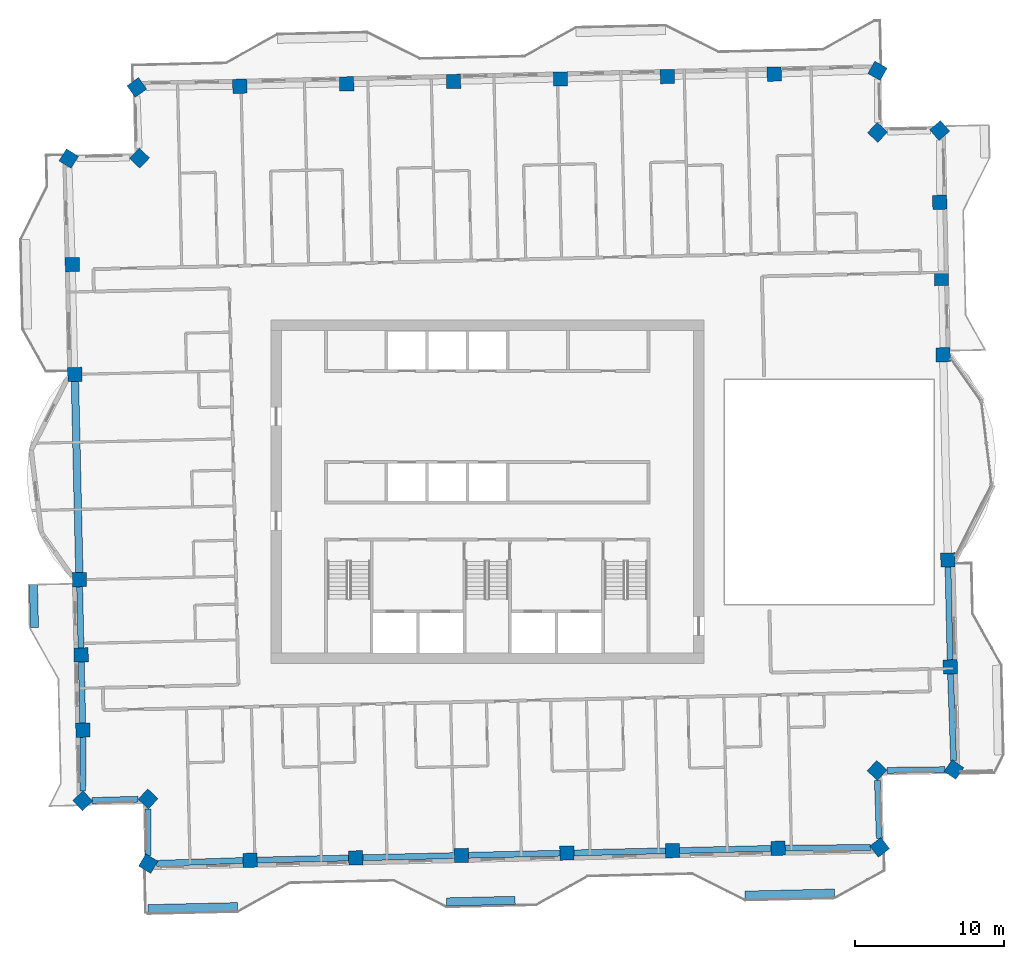
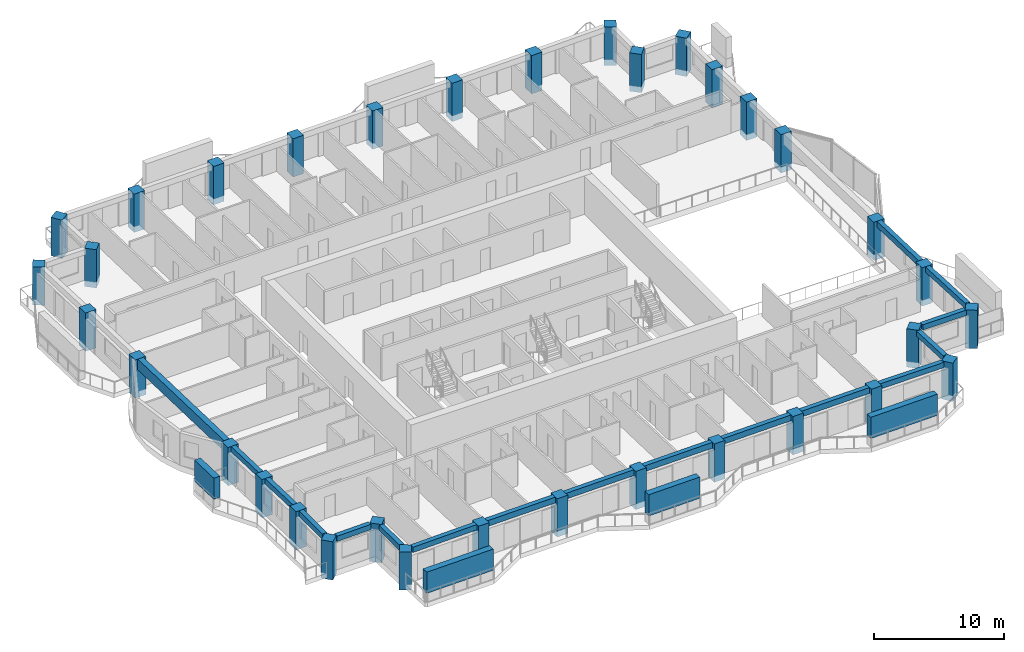
# One storey, part 1 of 19: 34 columns, 17 beams, 4 members.
"""IFC4 building model written with IfcOpenShell, lengths in metres."""

from ifc_helpers import new_model, si_unit, direction, frame, origin, origin_2d, place, context, subcontext, project, spatial, rectangle, extrude, material, material_profile, profile_set, type_object, element, save


model = new_model("IFC4")

# Units and contexts
model_context = context("Model", 3, precision=1e-05, world=origin(), true_north=direction((0.0, 1.0)))
body_context = subcontext(model_context, "Body", "Model", "MODEL_VIEW")
ifc_project = project(units=[si_unit("LENGTHUNIT", "METRE"), si_unit("AREAUNIT", "SQUARE_METRE"), si_unit("VOLUMEUNIT", "CUBIC_METRE"), si_unit("PLANEANGLEUNIT", "RADIAN"), si_unit("MASSUNIT", "GRAM", prefix="KILO")], contexts=[model_context])

# Site, building, storey
site_placement = place(None, origin())
site = spatial("IfcSite", under=ifc_project, at=site_placement, CompositionType="ELEMENT")
building_placement = place(site_placement, origin())
building = spatial("IfcBuilding", under=site, at=building_placement, Name="Mangrove Gate Tower", CompositionType="ELEMENT")
storey_placement = place(building_placement, frame((0.0, 0.0, 297.89990234375)))
storey = spatial("IfcBuildingStorey", under=building, at=storey_placement, Name="L76", CompositionType="ELEMENT", Elevation=297.89990234375)

# Columns
ifc_material_1 = material(Name="Concrete C50/60", Category="concrete")
ifc_material_profile_1 = material_profile(ifc_material_1, rectangle(XDim=0.949951171875, YDim=0.949951171875, at=origin_2d()))
ifc_profile_set_1 = profile_set([ifc_material_profile_1], Name="Concrete C50/60")
column_type = type_object("IfcColumnType", Name="Column RC 950x950 C50/60", PredefinedType="COLUMN", material=ifc_profile_set_1)
for number, where, z_axis, x_axis, name in (
    (1, (-27.3291015625, -5.88330078125, -0.5498046875), (0.0, 0.0, 1.0), (0.022668227132, -0.999743042726, 0.0), "Column L76 W05"),
    (2, (-27.215087890625, -10.92431640625, -0.5498046875), (0.0, 0.0, 1.0), (0.022611029903, -0.999744337982, 0.0), "Column L76 W06"),
    (3, (-27.10107421875, -15.964111328125, -0.5498046875), (0.0, 0.0, 1.0), (0.022712390043, -0.999742040398, 0.0), "Column L76 W07"),
    (4, (-27.1103515625, -20.694580078125, -0.5498046875), (0.0, 0.0, 1.0), (0.674559871236, -0.738220143398, 0.0), "Column L76 W08"),
    (5, (-22.73388671875, -20.571533203125, -0.5498046875), (0.0, 0.0, 1.0), (0.722917548782, -0.690934307777, 0.0), "Column L76 W09"),
    (6, (-22.721435546875, -24.905029296875, -0.5498046875), (0.0, 0.0, 1.0), (0.860936080736, -0.508713145974, 0.0), "Column L76 S01"),
    (7, (-15.898681640625, -24.67919921875, -0.5498046875), (0.0, 0.0, 1.0), (0.999742783124, 0.022679673549, 0.0), "Column L76 S02"),
    (8, (-8.82373046875, -24.51806640625, -0.5498046875), (0.0, 0.0, 1.0), (0.999742783124, 0.022679673549, 0.0), "Column L76 S03"),
    (9, (-1.748779296875, -24.358154296875, -0.5498046875), (0.0, 0.0, 1.0), (0.999742746705, 0.022681278839, 0.0), "Column L76 S04"),
    (10, (5.3251953125, -24.197021484375, -0.5498046875), (0.0, 0.0, 1.0), (0.999741142154, 0.022751894086, 0.0), "Column L76 S05"),
    (11, (12.400146484375, -24.0361328125, -0.5498046875), (0.0, 0.0, 1.0), (0.999742783124, 0.022679673549, 0.0), "Column L76 S06"),
    (12, (19.475341796875, -23.876220703125, -0.5498046875), (0.0, 0.0, 1.0), (0.999742783124, 0.022679673549, 0.0), "Column L76 S07"),
    (13, (26.271240234375, -23.813720703125, -0.5498046875), (0.0, 0.0, 1.0), (0.792213187663, 0.610244430775, 0.0), "Column L76 S08"),
    (14, (26.099609375, -18.663818359375, -0.5498046875), (0.0, 0.0, 1.0), (0.690876732885, 0.722972572065, 0.0), "Column L76 E01"),
    (15, (31.25048828125, -18.603759765625, -0.5498046875), (0.0, 0.0, 1.0), (0.568957327632, 0.8223670466, 0.0), "Column L76 E02"),
    (16, (31.004150390625, -11.723876953125, -0.5498046875), (0.0, 0.0, 1.0), (-0.02268810132, 0.9997425919, 0.0), "Column L76 E03"),
    (17, (30.841064453125, -4.563720703125, -0.5498046875), (0.0, 0.0, 1.0), (-0.022713803395, 0.999742008288, 0.0), "Column L76 E04"),
    (18, (30.529052734375, 9.183349609375, -0.5498046875), (0.0, 0.0, 1.0), (-0.022641914322, 0.999743638997, 0.0), "Column L76 E05"),
    (19, (30.4140625, 14.290283203125, -0.5498046875), (0.0, 0.0, 1.0), (-0.022610227257, 0.999744356135, 0.0), "Column L76 E06"),
    (20, (30.298095703125, 19.397216796875, -0.5498046875), (0.0, 0.0, 1.0), (-0.022708062743, 0.999742138697, 0.0), "Column L76 E07"),
    (21, (30.297119140625, 24.205078125, -0.5498046875), (0.0, 0.0, 1.0), (-0.652445951575, 0.757835259323, 0.0), "Column L76 E08"),
    (22, (26.1298828125, 24.07666015625, -0.5498046875), (0.0, 0.0, 1.0), (-0.722919671176, 0.69093208713, 0.0), "Column L76 E09"),
    (23, (26.132080078125, 28.203857421875, -0.5498046875), (0.0, 0.0, 1.0), (-0.873907193452, 0.486092807222, 0.0), "Column L76 N01"),
    (24, (19.212890625, 27.981201171875, -0.5498046875), (0.0, 0.0, 1.0), (-0.9997425919, -0.02268810132, 0.0), "Column L76 N02"),
    (25, (12.052734375, 27.819091796875, -0.5498046875), (0.0, 0.0, 1.0), (-0.9997425919, -0.02268810132, 0.0), "Column L76 N03"),
    (26, (4.891845703125, 27.656005859375, -0.5498046875), (0.0, 0.0, 1.0), (-0.9997425919, -0.02268810132, 0.0), "Column L76 N04"),
    (27, (-2.268310546875, 27.494140625, -0.5498046875), (0.0, 0.0, 1.0), (-0.9997425919, -0.02268810132, 0.0), "Column L76 N05"),
    (28, (-9.42919921875, 27.3310546875, -0.5498046875), (0.0, 0.0, 1.0), (-0.9997425919, -0.02268810132, 0.0), "Column L76 N06"),
    (29, (-16.589111328125, 27.169189453125, -0.5498046875), (0.0, 0.0, 1.0), (-0.9997425919, -0.02268810132, 0.0), "Column L76 N07"),
    (30, (-23.48779296875, 27.092529296875, -0.5498046875), (0.0, 0.0, 1.0), (-0.81788929658, -0.575375615176, 0.0), "Column L76 N08"),
    (31, (-23.30859375, 22.354736328125, -0.5498046875), (0.0, 0.0, 1.0), (-0.690864619266, -0.722984147714, 0.0), "Column L76 W01"),
    (32, (-28.04638671875, 22.32373046875, -0.5498046875), (0.0, 0.0, 1.0), (-0.526906799816, -0.849923069641, 0.0), "Column L76 W02"),
    (33, (-27.80810546875, 15.223876953125, -0.5498046875), (0.0, 0.0, 1.0), (0.022682831782, -0.999742711472, 0.0), "Column L76 W03"),
    (34, (-27.64111328125, 7.86376953125, -0.5498046875), (0.0, 0.0, 1.0), (0.022688048974, -0.999742593088, 0.0), "Column L76 W04"),
):
    element("IfcColumn", number, at=place(storey_placement, frame(where, z_axis=z_axis, x_axis=x_axis)), inside=storey, type_object=column_type, Name=name, PredefinedType="COLUMN", context=body_context, shape_type="SweptSolid", body=[
        extrude(rectangle(XDim=0.949951171875, YDim=0.949951171875, at=origin_2d()), origin(), (0.0, 0.0, 1.0), 3.599853515625),
    ])

# Members
ifc_material_2 = material(Name="Planting on aluminium trellis", Category="aluminium")
ifc_material_profile_2 = material_profile(ifc_material_2, rectangle(XDim=0.550048828125, YDim=2.0, at=origin_2d()))
ifc_profile_set_2 = profile_set([ifc_material_profile_2], Name="Planting on aluminium trellis")
member_type = type_object("IfcMemberType", Name="Balcony greenery screen 550x2000", PredefinedType="USERDEFINED", material=ifc_profile_set_2)
member_1_placement = place(storey_placement, frame((-30.347900390625, -9.077880859375, 1.800048828125), z_axis=(-0.022677031611, 0.999742843054, 0.0), x_axis=(-0.999742843054, -0.022677031611, 0.0)))
element("IfcMember", 35, at=member_1_placement, inside=storey, type_object=member_type, Name="GREEN SCREEN L76 W1.1", ObjectType="PLANTING", PredefinedType="USERDEFINED", context=body_context, shape_type="SweptSolid", body=[
    extrude(rectangle(XDim=0.550048828125, YDim=2.0, at=origin_2d()), origin(), (0.0, 0.0, 1.0), 2.87451171875),
])
member_2_placement = place(storey_placement, frame((-22.735107421875, -27.925048828125, 1.800048828125), z_axis=(0.999743094499, 0.022665943652, 0.0), x_axis=(-0.022665943652, 0.999743094499, 0.0)))
element("IfcMember", 36, at=member_2_placement, inside=storey, type_object=member_type, Name="GREEN SCREEN L76 S0.1", ObjectType="PLANTING", PredefinedType="USERDEFINED", context=body_context, shape_type="SweptSolid", body=[
    extrude(rectangle(XDim=0.550048828125, YDim=2.0, at=origin_2d()), origin(), (0.0, 0.0, 1.0), 5.99951171875),
])
member_3_placement = place(storey_placement, frame((-2.739990234375, -27.470947265625, 1.800048828125), z_axis=(0.999744377441, 0.022609285172, 0.0), x_axis=(-0.022609285172, 0.999744377441, 0.0)))
element("IfcMember", 37, at=member_3_placement, inside=storey, type_object=member_type, Name="GREEN SCREEN L76 S0.2", ObjectType="PLANTING", PredefinedType="USERDEFINED", context=body_context, shape_type="SweptSolid", body=[
    extrude(rectangle(XDim=0.550048828125, YDim=2.0, at=origin_2d()), origin(), (0.0, 0.0, 1.0), 4.60009765625),
])
member_4_placement = place(storey_placement, frame((17.2548828125, -27.01708984375, 1.800048828125), z_axis=(0.999743094499, 0.022665943652, 0.0), x_axis=(-0.022665943652, 0.999743094499, 0.0)))
element("IfcMember", 38, at=member_4_placement, inside=storey, type_object=member_type, Name="GREEN SCREEN L76 S1.1", ObjectType="PLANTING", PredefinedType="USERDEFINED", context=body_context, shape_type="SweptSolid", body=[
    extrude(rectangle(XDim=0.550048828125, YDim=2.0, at=origin_2d()), origin(), (0.0, 0.0, 1.0), 5.99951171875),
])

# Beams
ifc_material_3 = material(Name="Concrete C50/60", Category="concrete")
ifc_material_profile_3 = material_profile(ifc_material_3, rectangle(XDim=0.39990234375, YDim=0.5, at=origin_2d()))
ifc_profile_set_3 = profile_set([ifc_material_profile_3], Name="Concrete C50/60")
beam_type_1 = type_object("IfcBeamType", Name="Edge beam RC 400x500 C50/60", PredefinedType="BEAM", material=ifc_profile_set_3)
beam_1_placement = place(storey_placement, frame((-27.318359375, -6.358154296875, 2.800048828125), z_axis=(0.022610282283, -0.99974435489, 0.0), x_axis=(0.99974435489, 0.022610282283, 0.0)))
element("IfcBeam", 39, at=beam_1_placement, inside=storey, type_object=beam_type_1, Name="Edge beam L76 00", PredefinedType="BEAM", context=body_context, shape_type="SweptSolid", body=[
    extrude(rectangle(XDim=0.39990234375, YDim=0.5, at=origin_2d()), origin(), (0.0, 0.0, 1.0), 4.09228515625),
])
beam_2_placement = place(storey_placement, frame((-27.204345703125, -11.399169921875, 2.800048828125), z_axis=(0.022617026961, -0.999744202329, 0.0), x_axis=(0.999744202329, 0.022617026961, 0.0)))
element("IfcBeam", 40, at=beam_2_placement, inside=storey, type_object=beam_type_1, Name="Edge beam L76 01", PredefinedType="BEAM", context=body_context, shape_type="SweptSolid", body=[
    extrude(rectangle(XDim=0.39990234375, YDim=0.5, at=origin_2d()), origin(), (0.0, 0.0, 1.0), 4.091064453125),
])
beam_3_placement = place(storey_placement, frame((-27.10205078125, -16.439453125, 2.800048828125), z_axis=(-0.001960913128, -0.999998077408, 0.0), x_axis=(0.999998077408, -0.001960913128, 0.0)))
element("IfcBeam", 41, at=beam_3_placement, inside=storey, type_object=beam_type_1, Name="Edge beam L76 02", PredefinedType="BEAM", context=body_context, shape_type="SweptSolid", body=[
    extrude(rectangle(XDim=0.39990234375, YDim=0.5, at=origin_2d()), origin(), (0.0, 0.0, 1.0), 3.610595703125),
])
beam_4_placement = place(storey_placement, frame((-26.48291015625, -20.677001953125, 2.800048828125), z_axis=(0.999604650157, 0.028116603344, 0.0), x_axis=(-0.028116603344, 0.999604650157, 0.0)))
element("IfcBeam", 42, at=beam_4_placement, inside=storey, type_object=beam_type_1, Name="Edge beam L76 03", PredefinedType="BEAM", context=body_context, shape_type="SweptSolid", body=[
    extrude(rectangle(XDim=0.39990234375, YDim=0.5, at=origin_2d()), origin(), (0.0, 0.0, 1.0), 3.08251953125),
])
beam_5_placement = place(storey_placement, frame((-22.73193359375, -21.23046875, 2.800048828125), z_axis=(0.002893551662, -0.999995813671, 0.0), x_axis=(0.999995813671, 0.002893551662, 0.0)))
element("IfcBeam", 43, at=beam_5_placement, inside=storey, type_object=beam_type_1, Name="Edge beam L76 04", PredefinedType="BEAM", context=body_context, shape_type="SweptSolid", body=[
    extrude(rectangle(XDim=0.39990234375, YDim=0.5, at=origin_2d()), origin(), (0.0, 0.0, 1.0), 3.121826171875),
])
beam_6_placement = place(storey_placement, frame((-22.15869140625, -24.886474609375, 2.800048828125), z_axis=(0.999451720574, 0.033109790709, 0.0), x_axis=(-0.033109790709, 0.999451720574, 0.0)))
element("IfcBeam", 44, at=beam_6_placement, inside=storey, type_object=beam_type_1, Name="Edge beam L76 05", PredefinedType="BEAM", context=body_context, shape_type="SweptSolid", body=[
    extrude(rectangle(XDim=0.39990234375, YDim=0.5, at=origin_2d()), origin(), (0.0, 0.0, 1.0), 5.788330078125),
])
beam_7_placement = place(storey_placement, frame((19.9501953125, -23.871826171875, 2.800048828125), z_axis=(0.999957587868, 0.009209911265, 0.0), x_axis=(-0.009209911265, 0.999957587868, 0.0)))
element("IfcBeam", 45, at=beam_7_placement, inside=storey, type_object=beam_type_1, Name="Edge beam L76 11", PredefinedType="BEAM", context=body_context, shape_type="SweptSolid", body=[
    extrude(rectangle(XDim=0.39990234375, YDim=0.5, at=origin_2d()), origin(), (0.0, 0.0, 1.0), 5.725830078125),
])
beam_8_placement = place(storey_placement, frame((26.251708984375, -23.22900390625, 2.800048828125), z_axis=(-0.033277341028, 0.999446155915, 0.0), x_axis=(-0.999446155915, -0.033277341028, 0.0)))
element("IfcBeam", 46, at=beam_8_placement, inside=storey, type_object=beam_type_1, Name="Edge beam L76 12", PredefinedType="BEAM", context=body_context, shape_type="SweptSolid", body=[
    extrude(rectangle(XDim=0.39990234375, YDim=0.5, at=origin_2d()), origin(), (0.0, 0.0, 1.0), 3.903076171875),
])
beam_9_placement = place(storey_placement, frame((26.763916015625, -18.656005859375, 2.800048828125), z_axis=(0.99993236047, 0.011630755991, 0.0), x_axis=(-0.011630755991, 0.99993236047, 0.0)))
element("IfcBeam", 47, at=beam_9_placement, inside=storey, type_object=beam_type_1, Name="Edge beam L76 13", PredefinedType="BEAM", context=body_context, shape_type="SweptSolid", body=[
    extrude(rectangle(XDim=0.39990234375, YDim=0.5, at=origin_2d()), origin(), (0.0, 0.0, 1.0), 3.904296875),
])
beam_10_placement = place(storey_placement, frame((31.229248046875, -18.011474609375, 2.800048828125), z_axis=(-0.035802315604, 0.999358891589, 0.0), x_axis=(-0.999358891589, -0.035802315604, 0.0)))
element("IfcBeam", 48, at=beam_10_placement, inside=storey, type_object=beam_type_1, Name="Edge beam L76 14", PredefinedType="BEAM", context=body_context, shape_type="SweptSolid", body=[
    extrude(rectangle(XDim=0.39990234375, YDim=0.5, at=origin_2d()), origin(), (0.0, 0.0, 1.0), 5.816650390625),
])
ifc_material_4 = material(Name="Concrete C50/60", Category="concrete")
ifc_material_profile_4 = material_profile(ifc_material_4, rectangle(XDim=0.39990234375, YDim=0.550048828125, at=origin_2d()))
ifc_profile_set_4 = profile_set([ifc_material_profile_4], Name="Concrete C50/60")
beam_type_2 = type_object("IfcBeamType", Name="Edge beam RC 400x550 C50/60", PredefinedType="BEAM", material=ifc_profile_set_4)
for number, where, z_axis, x_axis, name in (
    (49, (-15.423828125, -24.668212890625, 2.775146484375), (0.999741115026, 0.022753086081, 0.0), (-0.022753086081, 0.999741115026, 0.0), "Edge beam L76 06"),
    (50, (-8.348876953125, -24.50732421875, 2.775146484375), (0.999744728048, 0.022593776587, 0.0), (-0.022593776587, 0.999744728048, 0.0), "Edge beam L76 07"),
):
    element("IfcBeam", number, at=place(storey_placement, frame(where, z_axis=z_axis, x_axis=x_axis)), inside=storey, type_object=beam_type_2, Name=name, PredefinedType="BEAM", context=body_context, shape_type="SweptSolid", body=[
        extrude(rectangle(XDim=0.39990234375, YDim=0.550048828125, at=origin_2d()), origin(), (0.0, 0.0, 1.0), 6.126708984375),
    ])
beam_11_placement = place(storey_placement, frame((-1.27392578125, -24.347412109375, 2.775146484375), z_axis=(0.999741032489, 0.02275671236, 0.0), x_axis=(-0.02275671236, 0.999741032489, 0.0)))
element("IfcBeam", 51, at=beam_11_placement, inside=storey, type_object=beam_type_2, Name="Edge beam L76 08", PredefinedType="BEAM", context=body_context, shape_type="SweptSolid", body=[
    extrude(rectangle(XDim=0.39990234375, YDim=0.550048828125, at=origin_2d()), origin(), (0.0, 0.0, 1.0), 6.125732421875),
])
for number, where, z_axis, x_axis, name in (
    (52, (5.800048828125, -24.186279296875, 2.775146484375), (0.999741115026, 0.022753086081, 0.0), (-0.022753086081, 0.999741115026, 0.0), "Edge beam L76 09"),
    (53, (12.875, -24.025390625, 2.775146484375), (0.999744728048, 0.022593776587, 0.0), (-0.022593776587, 0.999744728048, 0.0), "Edge beam L76 10"),
):
    element("IfcBeam", number, at=place(storey_placement, frame(where, z_axis=z_axis, x_axis=x_axis)), inside=storey, type_object=beam_type_2, Name=name, PredefinedType="BEAM", context=body_context, shape_type="SweptSolid", body=[
        extrude(rectangle(XDim=0.39990234375, YDim=0.550048828125, at=origin_2d()), origin(), (0.0, 0.0, 1.0), 6.126708984375),
    ])
beam_12_placement = place(storey_placement, frame((30.993408203125, -11.248779296875, 2.775146484375), z_axis=(-0.022756223778, 0.99974104361, 0.0), x_axis=(-0.99974104361, -0.022756223778, 0.0)))
element("IfcBeam", 54, at=beam_12_placement, inside=storey, type_object=beam_type_2, Name="Edge beam L76 15", PredefinedType="BEAM", context=body_context, shape_type="SweptSolid", body=[
    extrude(rectangle(XDim=0.39990234375, YDim=0.550048828125, at=origin_2d()), origin(), (0.0, 0.0, 1.0), 6.2119140625),
])
ifc_material_5 = material(Name="Concrete C50/60", Category="concrete")
ifc_material_profile_5 = material_profile(ifc_material_5, rectangle(XDim=0.5, YDim=1.0, at=origin_2d()))
ifc_profile_set_5 = profile_set([ifc_material_profile_5], Name="Concrete C50/60")
beam_type_3 = type_object("IfcBeamType", Name="Edge beam RC 500x1000 C50/60", PredefinedType="BEAM", material=ifc_profile_set_5)
beam_13_placement = place(storey_placement, frame((-27.63037109375, 7.388916015625, 2.550048828125), z_axis=(0.0226962773, -0.999742406321, 0.0), x_axis=(0.999742406321, 0.0226962773, 0.0)))
element("IfcBeam", 55, at=beam_13_placement, inside=storey, type_object=beam_type_3, Name="Edge beam L76 33", PredefinedType="BEAM", context=body_context, shape_type="SweptSolid", body=[
    extrude(rectangle(XDim=0.5, YDim=1.0, at=origin_2d()), origin(), (0.0, 0.0, 1.0), 12.80078125),
])

save(model, "model.ifc")
